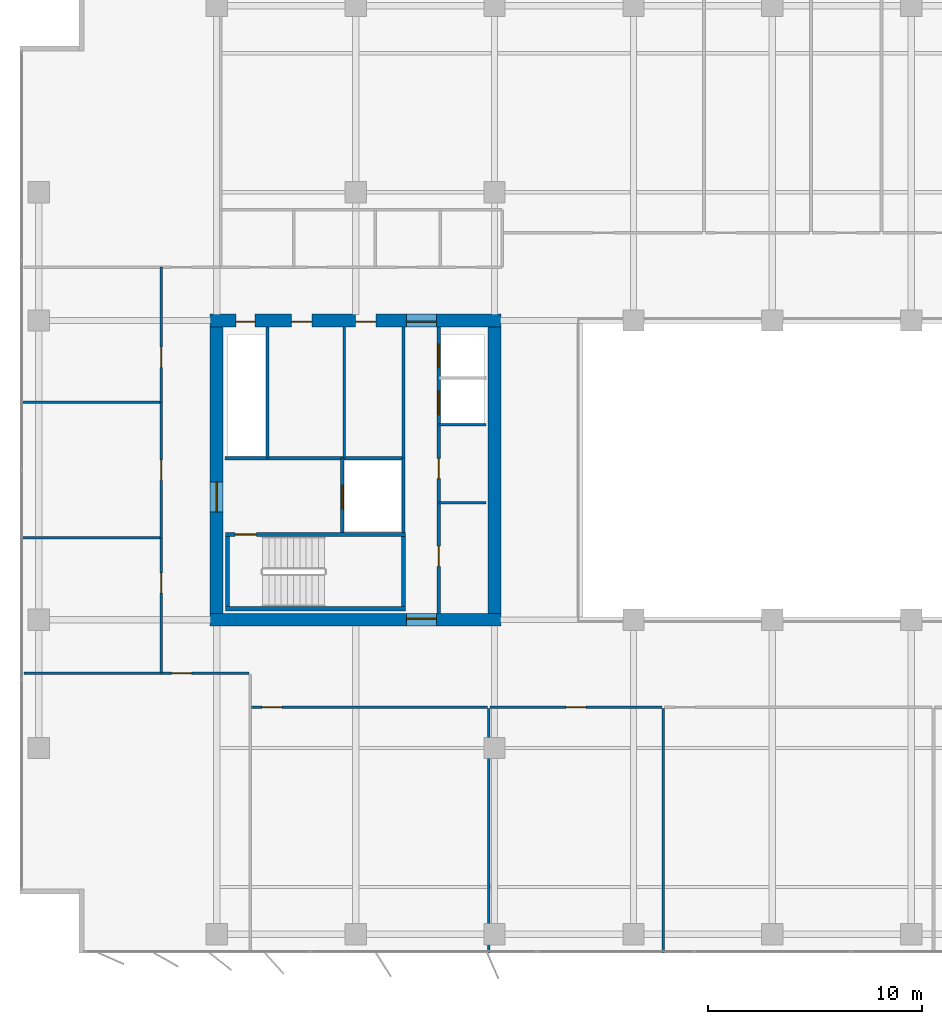
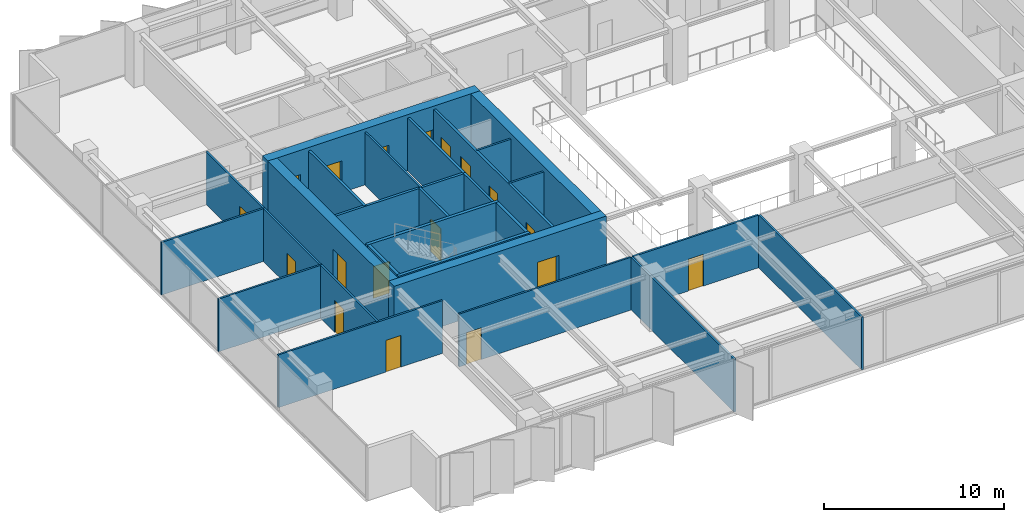
# One storey, part 15 of 22: 27 walls, 18 doors, 18 openings.
"""IFC4 building model written with IfcOpenShell, lengths in metres."""

from ifc_helpers import new_model, si_unit, direction, frame, frame_2d, origin, place, context, subcontext, project, spatial, rectangle, extrude, material, layer, layer_set, type_object, element, fill, save


model = new_model("IFC4")

# Units and contexts
model_context = context("Model", 3, precision=1e-05, world=origin(), true_north=direction((0.0, 1.0)))
body_context = subcontext(model_context, "Body", "Model", "MODEL_VIEW")
ifc_project = project(units=[si_unit("LENGTHUNIT", "METRE"), si_unit("AREAUNIT", "SQUARE_METRE"), si_unit("VOLUMEUNIT", "CUBIC_METRE"), si_unit("PLANEANGLEUNIT", "RADIAN"), si_unit("MASSUNIT", "GRAM", prefix="KILO")], contexts=[model_context])

# Site, building, storey
site_placement = place(None, origin())
site = spatial("IfcSite", under=ifc_project, at=site_placement, CompositionType="ELEMENT")
building_placement = place(site_placement, origin())
building = spatial("IfcBuilding", under=site, at=building_placement, Name="Putna Gate Headquarters", CompositionType="ELEMENT")
storey_placement = place(building_placement, frame((0.0, 0.0, 186.0)))
storey = spatial("IfcBuildingStorey", under=building, at=storey_placement, Name="L46", CompositionType="ELEMENT", Elevation=186.0)

# Wall, opening, door
ifc_material_1 = material(Name="Concrete C50/60", Category="concrete")
ifc_layer_1 = layer(ifc_material_1, 0.60009765625)
ifc_layer_set_1 = layer_set([ifc_layer_1], Name="Concrete C50/60")
wall_type_1 = type_object("IfcWallType", Name="WALL-CORE-600", PredefinedType="SHEAR", material=ifc_layer_set_1)
wall_1_placement = place(storey_placement, frame((12.699951171875, 19.0, 0.0), z_axis=(0.0, 0.0, 1.0), x_axis=(1.0, 0.0, 0.0)))
wall_1 = element("IfcWall", 1, at=wall_1_placement, inside=storey, type_object=wall_type_1, Name="L46 WC Split Core Shear Wall S", PredefinedType="SHEAR", context=body_context, shape_type="SweptSolid", body=[
    extrude(rectangle(XDim=13.60009765625, YDim=0.60009765625, at=frame_2d((6.800048828125, 0.0))), origin(), (0.0, 0.0, 1.0), 3.800048828125),
])
opening_1_placement = place(wall_1_placement, frame((9.179931640625, 0.0, 0.0)))
opening_1 = element("IfcOpeningElement", 2, at=opening_1_placement, cuts=wall_1, Name="Opening FDD-140", PredefinedType="OPENING", context=body_context, shape_type="SweptSolid", body=[
    extrude(rectangle(XDim=1.39990234375, YDim=2.199951171875, at=frame_2d((0.699951171875, 1.10009765625))), frame((0.0, 0.31005859375, 0.0), z_axis=(0.0, -1.0, 0.0), x_axis=(1.0, 0.0, 0.0)), (0.0, 0.0, 1.0), 0.6201171875),
])
ifc_material_2 = material(Name="Double steel fire door", Category="steel")
door_type_1 = type_object("IfcDoorType", Name="DOOR-FIRE-DBL-1400", OperationType="DOUBLE_DOOR_SINGLE_SWING", PredefinedType="DOOR", material=ifc_material_2)
door_1_placement = place(opening_1_placement, origin())
door_1 = element("IfcDoor", 3, at=door_1_placement, inside=storey, type_object=door_type_1, Name="L46 West Lift Lobby South Door", OperationType="DOUBLE_DOOR_SINGLE_SWING", OverallHeight=2.199951171875, OverallWidth=1.39990234375, PredefinedType="DOOR", context=body_context, shape_type="SweptSolid", body=[
    extrude(rectangle(XDim=1.39990234375, YDim=2.199951171875, at=frame_2d((0.699951171875, 1.10009765625))), frame((0.0, 0.0751953125, 0.0), z_axis=(0.0, -1.0, 0.0), x_axis=(1.0, 0.0, 0.0)), (0.0, 0.0, 1.0), 0.050048828125),
])
fill(opening_1, door_1)

# Wall, openings, doors
wall_2_placement = place(storey_placement, frame((12.699951171875, 33.0, 0.0), z_axis=(0.0, 0.0, 1.0), x_axis=(1.0, 0.0, 0.0)))
wall_2 = element("IfcWall", 4, at=wall_2_placement, inside=storey, type_object=wall_type_1, Name="L46 WC Split Core Shear Wall N", PredefinedType="SHEAR", context=body_context, shape_type="SweptSolid", body=[
    extrude(rectangle(XDim=13.60009765625, YDim=0.60009765625, at=frame_2d((6.800048828125, 0.0))), origin(), (0.0, 0.0, 1.0), 3.800048828125),
])
opening_2_placement = place(wall_2_placement, frame((1.199951171875, 0.0, 0.0)))
opening_2 = element("IfcOpeningElement", 5, at=opening_2_placement, cuts=wall_2, Name="Opening RD-90", PredefinedType="OPENING", context=body_context, shape_type="SweptSolid", body=[
    extrude(rectangle(XDim=0.89990234375, YDim=2.14990234375, at=frame_2d((0.449951171875, 1.074951171875))), frame((0.0, 0.31005859375, 0.0), z_axis=(0.0, -1.0, 0.0), x_axis=(1.0, 0.0, 0.0)), (0.0, 0.0, 1.0), 0.6201171875),
])
opening_3_placement = place(wall_2_placement, frame((3.800048828125, 0.0, 0.0)))
opening_3 = element("IfcOpeningElement", 6, at=opening_3_placement, cuts=wall_2, Name="Opening IDS-95", PredefinedType="OPENING", context=body_context, shape_type="SweptSolid", body=[
    extrude(rectangle(XDim=0.949951171875, YDim=2.14990234375, at=frame_2d((0.47509765625, 1.074951171875))), frame((0.0, 0.31005859375, 0.0), z_axis=(0.0, -1.0, 0.0), x_axis=(1.0, 0.0, 0.0)), (0.0, 0.0, 1.0), 0.6201171875),
])
opening_4_placement = place(wall_2_placement, frame((6.800048828125, 0.0, 0.0)))
opening_4 = element("IfcOpeningElement", 7, at=opening_4_placement, cuts=wall_2, Name="Opening IDS-95", PredefinedType="OPENING", context=body_context, shape_type="SweptSolid", body=[
    extrude(rectangle(XDim=0.949951171875, YDim=2.14990234375, at=frame_2d((0.47509765625, 1.074951171875))), frame((0.0, 0.31005859375, 0.0), z_axis=(0.0, -1.0, 0.0), x_axis=(1.0, 0.0, 0.0)), (0.0, 0.0, 1.0), 0.6201171875),
])
opening_5_placement = place(wall_2_placement, frame((9.179931640625, 0.0, 0.0)))
opening_5 = element("IfcOpeningElement", 8, at=opening_5_placement, cuts=wall_2, Name="Opening FDD-140", PredefinedType="OPENING", context=body_context, shape_type="SweptSolid", body=[
    extrude(rectangle(XDim=1.39990234375, YDim=2.199951171875, at=frame_2d((0.699951171875, 1.10009765625))), frame((0.0, 0.31005859375, 0.0), z_axis=(0.0, -1.0, 0.0), x_axis=(1.0, 0.0, 0.0)), (0.0, 0.0, 1.0), 0.6201171875),
])
door_2_placement = place(opening_5_placement, origin())
door_2 = element("IfcDoor", 9, at=door_2_placement, inside=storey, type_object=door_type_1, Name="L46 West Lift Lobby North Door", OperationType="DOUBLE_DOOR_SINGLE_SWING", OverallHeight=2.199951171875, OverallWidth=1.39990234375, PredefinedType="DOOR", context=body_context, shape_type="SweptSolid", body=[
    extrude(rectangle(XDim=1.39990234375, YDim=2.199951171875, at=frame_2d((0.699951171875, 1.10009765625))), frame((0.0, -0.02490234375, 0.0), z_axis=(0.0, -1.0, 0.0), x_axis=(1.0, 0.0, 0.0)), (0.0, 0.0, 1.0), 0.050048828125),
])
fill(opening_5, door_2)
ifc_material_3 = material(Name="Fire-rated service timber door", Category="wood")
door_type_2 = type_object("IfcDoorType", Name="DOOR-INT-950", OperationType="NOTDEFINED", PredefinedType="DOOR", material=ifc_material_3)
door_3_placement = place(opening_3_placement, origin())
door_3 = element("IfcDoor", 10, at=door_3_placement, inside=storey, type_object=door_type_2, Name="L46 Cleaner Store Door", OperationType="SINGLE_SWING_LEFT", OverallHeight=2.14990234375, OverallWidth=0.949951171875, PredefinedType="DOOR", context=body_context, shape_type="SweptSolid", body=[
    extrude(rectangle(XDim=0.949951171875, YDim=2.14990234375, at=frame_2d((0.47509765625, 1.074951171875))), frame((0.0, -0.02490234375, 0.0), z_axis=(0.0, -1.0, 0.0), x_axis=(1.0, 0.0, 0.0)), (0.0, 0.0, 1.0), 0.050048828125),
])
fill(opening_3, door_3)
door_4_placement = place(opening_4_placement, origin())
door_4 = element("IfcDoor", 11, at=door_4_placement, inside=storey, type_object=door_type_2, Name="L46 Comms Plant Door", OperationType="SINGLE_SWING_RIGHT", OverallHeight=2.14990234375, OverallWidth=0.949951171875, PredefinedType="DOOR", context=body_context, shape_type="SweptSolid", body=[
    extrude(rectangle(XDim=0.949951171875, YDim=2.14990234375, at=frame_2d((0.47509765625, 1.074951171875))), frame((0.0, -0.02490234375, 0.0), z_axis=(0.0, -1.0, 0.0), x_axis=(1.0, 0.0, 0.0)), (0.0, 0.0, 1.0), 0.050048828125),
])
fill(opening_4, door_4)
ifc_material_4 = material(Name="Steel riser access fire door", Category="steel")
door_type_3 = type_object("IfcDoorType", Name="DOOR-RISER-900", OperationType="NOTDEFINED", PredefinedType="DOOR", material=ifc_material_4)
door_5_placement = place(opening_2_placement, origin())
door_5 = element("IfcDoor", 12, at=door_5_placement, inside=storey, type_object=door_type_3, Name="L46 West Riser Access Door", OperationType="SINGLE_SWING_RIGHT", OverallHeight=2.14990234375, OverallWidth=0.89990234375, PredefinedType="DOOR", context=body_context, shape_type="SweptSolid", body=[
    extrude(rectangle(XDim=0.89990234375, YDim=2.14990234375, at=frame_2d((0.449951171875, 1.074951171875))), frame((0.0, -0.02490234375, 0.0), z_axis=(0.0, -1.0, 0.0), x_axis=(1.0, 0.0, 0.0)), (0.0, 0.0, 1.0), 0.050048828125),
])
fill(opening_2, door_5)

# Wall, opening, door
wall_3_placement = place(storey_placement, frame((13.0, 19.300048828125, 0.0), z_axis=(0.0, 0.0, 1.0), x_axis=(0.0, 1.0, 0.0)))
wall_3 = element("IfcWall", 13, at=wall_3_placement, inside=storey, type_object=wall_type_1, Name="L46 WC Split Core Shear Wall W", PredefinedType="SHEAR", context=body_context, shape_type="SweptSolid", body=[
    extrude(rectangle(XDim=13.39990234375, YDim=0.60009765625, at=frame_2d((6.699951171875, 0.0))), origin(), (0.0, 0.0, 1.0), 3.800048828125),
])
opening_6_placement = place(wall_3_placement, frame((4.75, 0.0, 0.0)))
opening_6 = element("IfcOpeningElement", 14, at=opening_6_placement, cuts=wall_3, Name="Opening FDD-140", PredefinedType="OPENING", context=body_context, shape_type="SweptSolid", body=[
    extrude(rectangle(XDim=1.39990234375, YDim=2.199951171875, at=frame_2d((0.699951171875, 1.10009765625))), frame((0.0, 0.31005859375, 0.0), z_axis=(0.0, -1.0, 0.0), x_axis=(1.0, 0.0, 0.0)), (0.0, 0.0, 1.0), 0.6201171875),
])
door_6_placement = place(opening_6_placement, origin())
door_6 = element("IfcDoor", 15, at=door_6_placement, inside=storey, type_object=door_type_1, Name="L46 West Firefighting Lobby Door", OperationType="DOUBLE_DOOR_SINGLE_SWING", OverallHeight=2.199951171875, OverallWidth=1.39990234375, PredefinedType="DOOR", context=body_context, shape_type="SweptSolid", body=[
    extrude(rectangle(XDim=1.39990234375, YDim=2.199951171875, at=frame_2d((0.699951171875, 1.10009765625))), frame((0.0, 0.02490234375, 0.0), z_axis=(0.0, -1.0, 0.0), x_axis=(1.0, 0.0, 0.0)), (0.0, 0.0, 1.0), 0.050048828125),
])
fill(opening_6, door_6)

# Walls
wall_4_placement = place(storey_placement, frame((26.0, 19.300048828125, 0.0), z_axis=(0.0, 0.0, 1.0), x_axis=(0.0, 1.0, 0.0)))
element("IfcWall", 16, at=wall_4_placement, inside=storey, type_object=wall_type_1, Name="L46 WC Split Core Shear Wall E", PredefinedType="SHEAR", context=body_context, shape_type="SweptSolid", body=[
    extrude(rectangle(XDim=13.39990234375, YDim=0.60009765625, at=frame_2d((6.699951171875, 0.0))), origin(), (0.0, 0.0, 1.0), 3.800048828125),
])
ifc_material_5 = material(Name="Acoustic gypsum board on metal stud")
ifc_layer_2 = layer(ifc_material_5, 0.1201171875)
ifc_layer_set_2 = layer_set([ifc_layer_2], Name="Acoustic gypsum board on metal stud")
wall_type_2 = type_object("IfcWallType", Name="WALL-PART-120", PredefinedType="PARTITIONING", material=ifc_layer_set_2)
for number, where, z_axis, x_axis, name in (
    (17, (25.727294921875, 3.419921875, 0.0), (0.0, 0.0, 1.0), (0.0, 1.0, 0.0), "L46 Interior Wall PART-L46-SB-DIV-02"),
    (18, (33.89404296875, 3.419921875, 0.0), (0.0, 0.0, 1.0), (0.0, 1.0, 0.0), "L46 Interior Wall PART-L46-SB-DIV-03"),
):
    element("IfcWall", number, at=place(storey_placement, frame(where, z_axis=z_axis, x_axis=x_axis)), inside=storey, type_object=wall_type_2, Name=name, PredefinedType="PARTITIONING", context=body_context, shape_type="SweptSolid", body=[
        extrude(rectangle(XDim=11.420166015625, YDim=0.1201171875, at=frame_2d((5.7099609375, 0.0))), origin(), (0.0, 0.0, 1.0), 3.572021484375),
    ])
for number, where, z_axis, x_axis, name in (
    (19, (3.820068359375, 22.833251953125, 0.0), (0.0, 0.0, 1.0), (1.0, 0.0, 0.0), "L46 Interior Wall PART-L46-WW-DIV-1"),
    (20, (3.820068359375, 29.166748046875, 0.0), (0.0, 0.0, 1.0), (1.0, 0.0, 0.0), "L46 Interior Wall PART-L46-WW-DIV-2"),
):
    element("IfcWall", number, at=place(storey_placement, frame(where, z_axis=z_axis, x_axis=x_axis)), inside=storey, type_object=wall_type_2, Name=name, PredefinedType="PARTITIONING", context=body_context, shape_type="SweptSolid", body=[
        extrude(rectangle(XDim=6.579833984375, YDim=0.1201171875, at=frame_2d((3.2900390625, 0.0))), origin(), (0.0, 0.0, 1.0), 3.572021484375),
    ])
ifc_material_6 = material(Name="Fire-rated gypsum board on metal stud")
ifc_layer_3 = layer(ifc_material_6, 0.1201171875)
ifc_layer_set_3 = layer_set([ifc_layer_3], Name="Fire-rated gypsum board on metal stud")
wall_type_3 = type_object("IfcWallType", Name="WALL-PART-120-RATED", PredefinedType="PARTITIONING", material=ifc_layer_set_3)
wall_5_placement = place(storey_placement, frame((18.969970703125, 26.56005859375, 0.0), z_axis=(0.0, 0.0, 1.0), x_axis=(0.0, 1.0, 0.0)))
element("IfcWall", 21, at=wall_5_placement, inside=storey, type_object=wall_type_3, Name="L46 Interior Wall CWINT-L46-WC-K0-DIV", PredefinedType="PARTITIONING", context=body_context, shape_type="SweptSolid", body=[
    extrude(rectangle(XDim=6.139892578125, YDim=0.1201171875, at=frame_2d((3.06982421875, 0.0))), origin(), (0.0, 0.0, 1.0), 3.572021484375),
])
for number, where, z_axis, x_axis, name in (
    (22, (23.39990234375, 24.469970703125, 0.0), (0.0, 0.0, 1.0), (1.0, 0.0, 0.0), "L46 Interior Wall CWINT-L46-WC-REUSE-DIV"),
    (23, (23.39990234375, 28.1201171875, 0.0), (0.0, 0.0, 1.0), (1.0, 0.0, 0.0), "L46 Interior Wall CWINT-L46-WC-LF06-DIV"),
):
    element("IfcWall", number, at=place(storey_placement, frame(where, z_axis=z_axis, x_axis=x_axis)), inside=storey, type_object=wall_type_3, Name=name, PredefinedType="PARTITIONING", context=body_context, shape_type="SweptSolid", body=[
        extrude(rectangle(XDim=2.2001953125, YDim=0.1201171875, at=frame_2d((1.10009765625, 0.0))), origin(), (0.0, 0.0, 1.0), 3.572021484375),
    ])

# Wall, opening, door
wall_6_placement = place(storey_placement, frame((3.97998046875, 16.5, 0.0), z_axis=(0.0, 0.0, 1.0), x_axis=(1.0, 0.0, 0.0)))
wall_6 = element("IfcWall", 24, at=wall_6_placement, inside=storey, type_object=wall_type_3, Name="L46 Interior Wall PART-L46-SB-CW-01", PredefinedType="PARTITIONING", context=body_context, shape_type="SweptSolid", body=[
    extrude(rectangle(XDim=10.537109375, YDim=0.1201171875, at=frame_2d((5.2685546875, 0.0))), origin(), (0.0, 0.0, 1.0), 3.572021484375),
])
opening_7_placement = place(wall_6_placement, frame((6.89990234375, 0.0, 0.0)))
opening_7 = element("IfcOpeningElement", 25, at=opening_7_placement, cuts=wall_6, Name="Opening FD-95", PredefinedType="OPENING", context=body_context, shape_type="SweptSolid", body=[
    extrude(rectangle(XDim=0.949951171875, YDim=2.14990234375, at=frame_2d((0.47509765625, 1.074951171875))), frame((0.0, 0.070068359375, 0.0), z_axis=(0.0, -1.0, 0.0), x_axis=(1.0, 0.0, 0.0)), (0.0, 0.0, 1.0), 0.14013671875),
])
ifc_material_7 = material(Name="Acoustic timber fire door", Category="wood")
door_type_4 = type_object("IfcDoorType", Name="DOOR-FIRE-950", OperationType="NOTDEFINED", PredefinedType="DOOR", material=ifc_material_7)
door_7_placement = place(opening_7_placement, origin())
door_7 = element("IfcDoor", 26, at=door_7_placement, inside=storey, type_object=door_type_4, Name="L46 Conference Meeting Room 5 Door", OperationType="SINGLE_SWING_LEFT", OverallHeight=2.14990234375, OverallWidth=0.949951171875, PredefinedType="DOOR", context=body_context, shape_type="SweptSolid", body=[
    extrude(rectangle(XDim=0.949951171875, YDim=2.14990234375, at=frame_2d((0.47509765625, 1.074951171875))), frame((0.0, 0.02490234375, 0.0), z_axis=(0.0, -1.0, 0.0), x_axis=(1.0, 0.0, 0.0)), (0.0, 0.0, 1.0), 0.050048828125),
])
fill(opening_7, door_7)

wall_7_placement = place(storey_placement, frame((14.63720703125, 14.89990234375, 0.0), z_axis=(0.0, 0.0, 1.0), x_axis=(1.0, 0.0, 0.0)))
wall_7 = element("IfcWall", 27, at=wall_7_placement, inside=storey, type_object=wall_type_3, Name="L46 Interior Wall PART-L46-SB-CW-02", PredefinedType="PARTITIONING", context=body_context, shape_type="SweptSolid", body=[
    extrude(rectangle(XDim=11.0302734375, YDim=0.1201171875, at=frame_2d((5.51513671875, 0.0))), origin(), (0.0, 0.0, 1.0), 3.572021484375),
])
opening_8_placement = place(wall_7_placement, frame((0.47998046875, 0.0, 0.0)))
opening_8 = element("IfcOpeningElement", 28, at=opening_8_placement, cuts=wall_7, Name="Opening FD-95", PredefinedType="OPENING", context=body_context, shape_type="SweptSolid", body=[
    extrude(rectangle(XDim=0.949951171875, YDim=2.14990234375, at=frame_2d((0.47509765625, 1.074951171875))), frame((0.0, 0.070068359375, 0.0), z_axis=(0.0, -1.0, 0.0), x_axis=(1.0, 0.0, 0.0)), (0.0, 0.0, 1.0), 0.14013671875),
])
door_8_placement = place(opening_8_placement, origin())
door_8 = element("IfcDoor", 29, at=door_8_placement, inside=storey, type_object=door_type_4, Name="L46 Cellular Office 4 Door", OperationType="SINGLE_SWING_RIGHT", OverallHeight=2.14990234375, OverallWidth=0.949951171875, PredefinedType="DOOR", context=body_context, shape_type="SweptSolid", body=[
    extrude(rectangle(XDim=0.949951171875, YDim=2.14990234375, at=frame_2d((0.47509765625, 1.074951171875))), frame((0.0, 0.02490234375, 0.0), z_axis=(0.0, -1.0, 0.0), x_axis=(1.0, 0.0, 0.0)), (0.0, 0.0, 1.0), 0.050048828125),
])
fill(opening_8, door_8)

wall_8_placement = place(storey_placement, frame((25.787353515625, 14.89990234375, 0.0), z_axis=(0.0, 0.0, 1.0), x_axis=(1.0, 0.0, 0.0)))
wall_8 = element("IfcWall", 30, at=wall_8_placement, inside=storey, type_object=wall_type_3, Name="L46 Interior Wall PART-L46-SB-CW-03", PredefinedType="PARTITIONING", context=body_context, shape_type="SweptSolid", body=[
    extrude(rectangle(XDim=8.046630859375, YDim=0.1201171875, at=frame_2d((4.0234375, 0.0))), origin(), (0.0, 0.0, 1.0), 3.572021484375),
])
opening_9_placement = place(wall_8_placement, frame((3.54833984375, 0.0, 0.0)))
opening_9 = element("IfcOpeningElement", 31, at=opening_9_placement, cuts=wall_8, Name="Opening FD-95", PredefinedType="OPENING", context=body_context, shape_type="SweptSolid", body=[
    extrude(rectangle(XDim=0.949951171875, YDim=2.14990234375, at=frame_2d((0.47509765625, 1.074951171875))), frame((0.0, 0.070068359375, 0.0), z_axis=(0.0, -1.0, 0.0), x_axis=(1.0, 0.0, 0.0)), (0.0, 0.0, 1.0), 0.14013671875),
])
door_9_placement = place(opening_9_placement, origin())
door_9 = element("IfcDoor", 32, at=door_9_placement, inside=storey, type_object=door_type_4, Name="L46 Cellular Office 5 Door", OperationType="SINGLE_SWING_LEFT", OverallHeight=2.14990234375, OverallWidth=0.949951171875, PredefinedType="DOOR", context=body_context, shape_type="SweptSolid", body=[
    extrude(rectangle(XDim=0.949951171875, YDim=2.14990234375, at=frame_2d((0.47509765625, 1.074951171875))), frame((0.0, 0.02490234375, 0.0), z_axis=(0.0, -1.0, 0.0), x_axis=(1.0, 0.0, 0.0)), (0.0, 0.0, 1.0), 0.050048828125),
])
fill(opening_9, door_9)

wall_9_placement = place(storey_placement, frame((10.39990234375, 16.5, 0.0), z_axis=(0.0, 0.0, 1.0), x_axis=(0.0, 1.0, 0.0)))
wall_9 = element("IfcWall", 33, at=wall_9_placement, inside=storey, type_object=wall_type_3, Name="L46 Interior Wall PART-L46-WW-CW-1", PredefinedType="PARTITIONING", context=body_context, shape_type="SweptSolid", body=[
    extrude(rectangle(XDim=6.333251953125, YDim=0.1201171875, at=frame_2d((3.16650390625, 0.0))), origin(), (0.0, 0.0, 1.0), 3.572021484375),
])
opening_10_placement = place(wall_9_placement, frame((3.74169921875, 0.0, 0.0)))
opening_10 = element("IfcOpeningElement", 34, at=opening_10_placement, cuts=wall_9, Name="Opening FD-95", PredefinedType="OPENING", context=body_context, shape_type="SweptSolid", body=[
    extrude(rectangle(XDim=0.949951171875, YDim=2.14990234375, at=frame_2d((0.47509765625, 1.074951171875))), frame((0.0, 0.070068359375, 0.0), z_axis=(0.0, -1.0, 0.0), x_axis=(1.0, 0.0, 0.0)), (0.0, 0.0, 1.0), 0.14013671875),
])
door_10_placement = place(opening_10_placement, origin())
door_10 = element("IfcDoor", 35, at=door_10_placement, inside=storey, type_object=door_type_4, Name="L46 West Project Meeting Room 1 Door", OperationType="SINGLE_SWING_RIGHT", OverallHeight=2.14990234375, OverallWidth=0.949951171875, PredefinedType="DOOR", context=body_context, shape_type="SweptSolid", body=[
    extrude(rectangle(XDim=0.949951171875, YDim=2.14990234375, at=frame_2d((0.47509765625, 1.074951171875))), frame((0.0, 0.02490234375, 0.0), z_axis=(0.0, -1.0, 0.0), x_axis=(1.0, 0.0, 0.0)), (0.0, 0.0, 1.0), 0.050048828125),
])
fill(opening_10, door_10)

wall_10_placement = place(storey_placement, frame((10.39990234375, 22.833251953125, 0.0), z_axis=(0.0, 0.0, 1.0), x_axis=(0.0, 1.0, 0.0)))
wall_10 = element("IfcWall", 36, at=wall_10_placement, inside=storey, type_object=wall_type_3, Name="L46 Interior Wall PART-L46-WW-CW-2", PredefinedType="PARTITIONING", context=body_context, shape_type="SweptSolid", body=[
    extrude(rectangle(XDim=6.33349609375, YDim=0.1201171875, at=frame_2d((3.166748046875, 0.0))), origin(), (0.0, 0.0, 1.0), 3.572021484375),
])
opening_11_placement = place(wall_10_placement, frame((2.691650390625, 0.0, 0.0)))
opening_11 = element("IfcOpeningElement", 37, at=opening_11_placement, cuts=wall_10, Name="Opening FD-95", PredefinedType="OPENING", context=body_context, shape_type="SweptSolid", body=[
    extrude(rectangle(XDim=0.949951171875, YDim=2.14990234375, at=frame_2d((0.47509765625, 1.074951171875))), frame((0.0, 0.070068359375, 0.0), z_axis=(0.0, -1.0, 0.0), x_axis=(1.0, 0.0, 0.0)), (0.0, 0.0, 1.0), 0.14013671875),
])
door_11_placement = place(opening_11_placement, origin())
door_11 = element("IfcDoor", 38, at=door_11_placement, inside=storey, type_object=door_type_4, Name="L46 West Project Meeting Room 2 Door", OperationType="SINGLE_SWING_LEFT", OverallHeight=2.14990234375, OverallWidth=0.949951171875, PredefinedType="DOOR", context=body_context, shape_type="SweptSolid", body=[
    extrude(rectangle(XDim=0.949951171875, YDim=2.14990234375, at=frame_2d((0.47509765625, 1.074951171875))), frame((0.0, 0.02490234375, 0.0), z_axis=(0.0, -1.0, 0.0), x_axis=(1.0, 0.0, 0.0)), (0.0, 0.0, 1.0), 0.050048828125),
])
fill(opening_11, door_11)

wall_11_placement = place(storey_placement, frame((10.39990234375, 29.166748046875, 0.0), z_axis=(0.0, 0.0, 1.0), x_axis=(0.0, 1.0, 0.0)))
wall_11 = element("IfcWall", 39, at=wall_11_placement, inside=storey, type_object=wall_type_3, Name="L46 Interior Wall PART-L46-WW-CW-3", PredefinedType="PARTITIONING", context=body_context, shape_type="SweptSolid", body=[
    extrude(rectangle(XDim=6.333251953125, YDim=0.1201171875, at=frame_2d((3.16650390625, 0.0))), origin(), (0.0, 0.0, 1.0), 3.572021484375),
])
opening_12_placement = place(wall_11_placement, frame((1.6416015625, 0.0, 0.0)))
opening_12 = element("IfcOpeningElement", 40, at=opening_12_placement, cuts=wall_11, Name="Opening FD-95", PredefinedType="OPENING", context=body_context, shape_type="SweptSolid", body=[
    extrude(rectangle(XDim=0.949951171875, YDim=2.14990234375, at=frame_2d((0.47509765625, 1.074951171875))), frame((0.0, 0.070068359375, 0.0), z_axis=(0.0, -1.0, 0.0), x_axis=(1.0, 0.0, 0.0)), (0.0, 0.0, 1.0), 0.14013671875),
])
door_12_placement = place(opening_12_placement, origin())
door_12 = element("IfcDoor", 41, at=door_12_placement, inside=storey, type_object=door_type_4, Name="L46 West Project Meeting Room 3 Door", OperationType="SINGLE_SWING_RIGHT", OverallHeight=2.14990234375, OverallWidth=0.949951171875, PredefinedType="DOOR", context=body_context, shape_type="SweptSolid", body=[
    extrude(rectangle(XDim=0.949951171875, YDim=2.14990234375, at=frame_2d((0.47509765625, 1.074951171875))), frame((0.0, 0.02490234375, 0.0), z_axis=(0.0, -1.0, 0.0), x_axis=(1.0, 0.0, 0.0)), (0.0, 0.0, 1.0), 0.050048828125),
])
fill(opening_12, door_12)

# Wall
ifc_material_8 = material(Name="Concrete C40/50", Category="concrete")
ifc_layer_4 = layer(ifc_material_8, 0.159912109375)
ifc_layer_set_4 = layer_set([ifc_layer_4], Name="Concrete C40/50")
wall_type_4 = type_object("IfcWallType", Name="WALL-SHAFT-160", PredefinedType="STANDARD", material=ifc_layer_set_4)
wall_12_placement = place(storey_placement, frame((21.739990234375, 23.090087890625, 0.0), z_axis=(0.0, 0.0, 1.0), x_axis=(0.0, 1.0, 0.0)))
element("IfcWall", 42, at=wall_12_placement, inside=storey, type_object=wall_type_4, Name="L46 Interior Wall CWINT-L46-WC-FFL-E", PredefinedType="STANDARD", context=body_context, shape_type="SweptSolid", body=[
    extrude(rectangle(XDim=3.469970703125, YDim=0.159912109375, at=frame_2d((1.73486328125, 0.0))), origin(), (0.0, 0.0, 1.0), 3.572021484375),
])

# Wall, opening, door
wall_13_placement = place(storey_placement, frame((18.8798828125, 23.090087890625, 0.0), z_axis=(0.0, 0.0, 1.0), x_axis=(0.0, 1.0, 0.0)))
wall_13 = element("IfcWall", 43, at=wall_13_placement, inside=storey, type_object=wall_type_4, Name="L46 Interior Wall CWINT-L46-WC-LF13-W", PredefinedType="STANDARD", context=body_context, shape_type="SweptSolid", body=[
    extrude(rectangle(XDim=3.469970703125, YDim=0.159912109375, at=frame_2d((1.73486328125, 0.0))), origin(), (0.0, 0.0, 1.0), 3.572021484375),
])
opening_13_placement = place(wall_13_placement, frame((1.10009765625, 0.0, 0.0)))
opening_13 = element("IfcOpeningElement", 44, at=opening_13_placement, cuts=wall_13, Name="Opening LD-1", PredefinedType="OPENING", context=body_context, shape_type="SweptSolid", body=[
    extrude(rectangle(XDim=1.10009765625, YDim=2.199951171875, at=frame_2d((0.550048828125, 1.10009765625))), frame((0.0, 0.08984375, 0.0), z_axis=(0.0, -1.0, 0.0), x_axis=(1.0, 0.0, 0.0)), (0.0, 0.0, 1.0), 0.179931640625),
])
ifc_material_9 = material(Name="Brushed bronze stainless lift landing door")
door_type_5 = type_object("IfcDoorType", Name="DOOR-LIFT-1100", OperationType="DOUBLE_DOOR_SLIDING", PredefinedType="DOOR", material=ifc_material_9)
door_13_placement = place(opening_13_placement, origin())
door_13 = element("IfcDoor", 45, at=door_13_placement, inside=storey, type_object=door_type_5, Name="L46 Lift Landing Door LD-13", OperationType="DOUBLE_DOOR_SLIDING", OverallHeight=2.199951171875, OverallWidth=1.10009765625, PredefinedType="DOOR", context=body_context, shape_type="SweptSolid", body=[
    extrude(rectangle(XDim=1.10009765625, YDim=2.199951171875, at=frame_2d((0.550048828125, 1.10009765625))), frame((0.0, 0.02490234375, 0.0), z_axis=(0.0, -1.0, 0.0), x_axis=(1.0, 0.0, 0.0)), (0.0, 0.0, 1.0), 0.050048828125),
])
fill(opening_13, door_13)

# Walls
wall_14_placement = place(storey_placement, frame((13.39990234375, 26.56005859375, 0.0), z_axis=(0.0, 0.0, 1.0), x_axis=(1.0, 0.0, 0.0)))
element("IfcWall", 46, at=wall_14_placement, inside=storey, type_object=wall_type_4, Name="L46 Interior Wall CWINT-L46-WC-FFL-N", PredefinedType="STANDARD", context=body_context, shape_type="SweptSolid", body=[
    extrude(rectangle(XDim=8.340087890625, YDim=0.159912109375, at=frame_2d((4.169921875, 0.0))), origin(), (0.0, 0.0, 1.0), 3.572021484375),
])
for number, where, z_axis, x_axis, name in (
    (47, (15.3798828125, 26.56005859375, 0.0), (0.0, 0.0, 1.0), (0.0, 1.0, 0.0), "L46 Interior Wall CWINT-L46-WC-RISER-E"),
    (48, (21.739990234375, 26.56005859375, 0.0), (0.0, 0.0, 1.0), (0.0, 1.0, 0.0), "L46 Interior Wall CWINT-L46-WC-LOB-W"),
):
    element("IfcWall", number, at=place(storey_placement, frame(where, z_axis=z_axis, x_axis=x_axis)), inside=storey, type_object=wall_type_4, Name=name, PredefinedType="STANDARD", context=body_context, shape_type="SweptSolid", body=[
        extrude(rectangle(XDim=6.139892578125, YDim=0.159912109375, at=frame_2d((3.06982421875, 0.0))), origin(), (0.0, 0.0, 1.0), 3.572021484375),
    ])

# Wall, openings, doors
wall_15_placement = place(storey_placement, frame((23.39990234375, 19.300048828125, 0.0), z_axis=(0.0, 0.0, 1.0), x_axis=(0.0, 1.0, 0.0)))
wall_15 = element("IfcWall", 49, at=wall_15_placement, inside=storey, type_object=wall_type_4, Name="L46 Interior Wall CWINT-L46-WC-PL-WALL", PredefinedType="STANDARD", context=body_context, shape_type="SweptSolid", body=[
    extrude(rectangle(XDim=13.39990234375, YDim=0.159912109375, at=frame_2d((6.699951171875, 0.0))), origin(), (0.0, 0.0, 1.0), 3.572021484375),
])
opening_14_placement = place(wall_15_placement, frame((2.199951171875, 0.0, 0.0)))
opening_14 = element("IfcOpeningElement", 50, at=opening_14_placement, cuts=wall_15, Name="Opening IDS-95", PredefinedType="OPENING", context=body_context, shape_type="SweptSolid", body=[
    extrude(rectangle(XDim=0.949951171875, YDim=2.14990234375, at=frame_2d((0.47509765625, 1.074951171875))), frame((0.0, 0.08984375, 0.0), z_axis=(0.0, -1.0, 0.0), x_axis=(1.0, 0.0, 0.0)), (0.0, 0.0, 1.0), 0.179931640625),
])
opening_15_placement = place(wall_15_placement, frame((6.300048828125, 0.0, 0.0)))
opening_15 = element("IfcOpeningElement", 51, at=opening_15_placement, cuts=wall_15, Name="Opening IDS-95", PredefinedType="OPENING", context=body_context, shape_type="SweptSolid", body=[
    extrude(rectangle(XDim=0.949951171875, YDim=2.14990234375, at=frame_2d((0.47509765625, 1.074951171875))), frame((0.0, 0.08984375, 0.0), z_axis=(0.0, -1.0, 0.0), x_axis=(1.0, 0.0, 0.0)), (0.0, 0.0, 1.0), 0.179931640625),
])
opening_16_placement = place(wall_15_placement, frame((9.300048828125, 0.0, 0.0)))
opening_16 = element("IfcOpeningElement", 52, at=opening_16_placement, cuts=wall_15, Name="Opening LD-1", PredefinedType="OPENING", context=body_context, shape_type="SweptSolid", body=[
    extrude(rectangle(XDim=1.10009765625, YDim=2.199951171875, at=frame_2d((0.550048828125, 1.10009765625))), frame((0.0, 0.08984375, 0.0), z_axis=(0.0, -1.0, 0.0), x_axis=(1.0, 0.0, 0.0)), (0.0, 0.0, 1.0), 0.179931640625),
])
opening_17_placement = place(wall_15_placement, frame((11.5, 0.0, 0.0)))
opening_17 = element("IfcOpeningElement", 53, at=opening_17_placement, cuts=wall_15, Name="Opening LD-1", PredefinedType="OPENING", context=body_context, shape_type="SweptSolid", body=[
    extrude(rectangle(XDim=1.10009765625, YDim=2.199951171875, at=frame_2d((0.550048828125, 1.10009765625))), frame((0.0, 0.08984375, 0.0), z_axis=(0.0, -1.0, 0.0), x_axis=(1.0, 0.0, 0.0)), (0.0, 0.0, 1.0), 0.179931640625),
])
door_14_placement = place(opening_14_placement, origin())
door_14 = element("IfcDoor", 54, at=door_14_placement, inside=storey, type_object=door_type_2, Name="L46 Tenant IT Hub Door", OperationType="SINGLE_SWING_LEFT", OverallHeight=2.14990234375, OverallWidth=0.949951171875, PredefinedType="DOOR", context=body_context, shape_type="SweptSolid", body=[
    extrude(rectangle(XDim=0.949951171875, YDim=2.14990234375, at=frame_2d((0.47509765625, 1.074951171875))), frame((0.0, 0.02490234375, 0.0), z_axis=(0.0, -1.0, 0.0), x_axis=(1.0, 0.0, 0.0)), (0.0, 0.0, 1.0), 0.050048828125),
])
fill(opening_14, door_14)
door_15_placement = place(opening_15_placement, origin())
door_15 = element("IfcDoor", 55, at=door_15_placement, inside=storey, type_object=door_type_2, Name="L46 Records Vault Door", OperationType="SINGLE_SWING_RIGHT", OverallHeight=2.14990234375, OverallWidth=0.949951171875, PredefinedType="DOOR", context=body_context, shape_type="SweptSolid", body=[
    extrude(rectangle(XDim=0.949951171875, YDim=2.14990234375, at=frame_2d((0.47509765625, 1.074951171875))), frame((0.0, 0.02490234375, 0.0), z_axis=(0.0, -1.0, 0.0), x_axis=(1.0, 0.0, 0.0)), (0.0, 0.0, 1.0), 0.050048828125),
])
fill(opening_15, door_15)
door_16_placement = place(opening_16_placement, origin())
door_16 = element("IfcDoor", 56, at=door_16_placement, inside=storey, type_object=door_type_5, Name="L46 Lift Landing Door LD-09", OperationType="DOUBLE_DOOR_SLIDING", OverallHeight=2.199951171875, OverallWidth=1.10009765625, PredefinedType="DOOR", context=body_context, shape_type="SweptSolid", body=[
    extrude(rectangle(XDim=1.10009765625, YDim=2.199951171875, at=frame_2d((0.550048828125, 1.10009765625))), frame((0.0, 0.02490234375, 0.0), z_axis=(0.0, -1.0, 0.0), x_axis=(1.0, 0.0, 0.0)), (0.0, 0.0, 1.0), 0.050048828125),
])
fill(opening_16, door_16)
door_17_placement = place(opening_17_placement, origin())
door_17 = element("IfcDoor", 57, at=door_17_placement, inside=storey, type_object=door_type_5, Name="L46 Lift Landing Door LD-10", OperationType="DOUBLE_DOOR_SLIDING", OverallHeight=2.199951171875, OverallWidth=1.10009765625, PredefinedType="DOOR", context=body_context, shape_type="SweptSolid", body=[
    extrude(rectangle(XDim=1.10009765625, YDim=2.199951171875, at=frame_2d((0.550048828125, 1.10009765625))), frame((0.0, 0.02490234375, 0.0), z_axis=(0.0, -1.0, 0.0), x_axis=(1.0, 0.0, 0.0)), (0.0, 0.0, 1.0), 0.050048828125),
])
fill(opening_17, door_17)

# Wall
ifc_layer_5 = layer(ifc_material_8, 0.199951171875)
ifc_layer_set_5 = layer_set([ifc_layer_5], Name="Concrete C40/50")
wall_type_5 = type_object("IfcWallType", Name="WALL-SHAFT-RC200", PredefinedType="SHEAR", material=ifc_layer_set_5)
wall_16_placement = place(storey_placement, frame((13.409912109375, 19.510009765625, 0.0), z_axis=(0.0, 0.0, 1.0), x_axis=(1.0, 0.0, 0.0)))
element("IfcWall", 58, at=wall_16_placement, inside=storey, type_object=wall_type_5, Name="L46 Stair ST1 Structural Shaft Wall S", PredefinedType="SHEAR", context=body_context, shape_type="SweptSolid", body=[
    extrude(rectangle(XDim=8.43017578125, YDim=0.199951171875, at=frame_2d((4.215087890625, 0.0))), origin(), (0.0, 0.0, 1.0), 3.800048828125),
])

# Wall, opening, door
wall_17_placement = place(storey_placement, frame((13.409912109375, 22.989990234375, 0.0), z_axis=(0.0, 0.0, 1.0), x_axis=(1.0, 0.0, 0.0)))
wall_17 = element("IfcWall", 59, at=wall_17_placement, inside=storey, type_object=wall_type_5, Name="L46 Stair ST1 Structural Shaft Wall N", PredefinedType="SHEAR", context=body_context, shape_type="SweptSolid", body=[
    extrude(rectangle(XDim=8.43017578125, YDim=0.199951171875, at=frame_2d((4.215087890625, 0.0))), origin(), (0.0, 0.0, 1.0), 3.800048828125),
])
opening_18_placement = place(wall_17_placement, frame((0.449951171875, 0.0, 0.0)))
opening_18 = element("IfcOpeningElement", 60, at=opening_18_placement, cuts=wall_17, Name="Opening FD-100", PredefinedType="OPENING", context=body_context, shape_type="SweptSolid", body=[
    extrude(rectangle(XDim=1.0, YDim=2.14990234375, at=frame_2d((0.5, 1.074951171875))), frame((0.0, 0.10986328125, 0.0), z_axis=(0.0, -1.0, 0.0), x_axis=(1.0, 0.0, 0.0)), (0.0, 0.0, 1.0), 0.219970703125),
])
ifc_material_10 = material(Name="Powder-coated steel fire door", Category="steel")
door_type_6 = type_object("IfcDoorType", Name="DOOR-FIRE-1000", OperationType="NOTDEFINED", PredefinedType="DOOR", material=ifc_material_10)
door_18_placement = place(opening_18_placement, origin())
door_18 = element("IfcDoor", 61, at=door_18_placement, inside=storey, type_object=door_type_6, Name="L46 Stair ST1 Fire Door", OperationType="SINGLE_SWING_LEFT", OverallHeight=2.14990234375, OverallWidth=1.0, PredefinedType="DOOR", context=body_context, shape_type="SweptSolid", body=[
    extrude(rectangle(XDim=1.0, YDim=2.14990234375, at=frame_2d((0.5, 1.074951171875))), frame((0.0, 0.02490234375, 0.0), z_axis=(0.0, -1.0, 0.0), x_axis=(1.0, 0.0, 0.0)), (0.0, 0.0, 1.0), 0.050048828125),
])
fill(opening_18, door_18)

# Walls
for number, where, z_axis, x_axis, name in (
    (62, (13.510009765625, 19.610107421875, 0.0), (0.0, 0.0, 1.0), (0.0, 1.0, 0.0), "L46 Stair ST1 Structural Shaft Wall W"),
    (63, (21.739990234375, 19.610107421875, 0.0), (0.0, 0.0, 1.0), (0.0, 1.0, 0.0), "L46 Stair ST1 Structural Shaft Wall E"),
):
    element("IfcWall", number, at=place(storey_placement, frame(where, z_axis=z_axis, x_axis=x_axis)), inside=storey, type_object=wall_type_5, Name=name, PredefinedType="SHEAR", context=body_context, shape_type="SweptSolid", body=[
        extrude(rectangle(XDim=3.27978515625, YDim=0.199951171875, at=frame_2d((1.639892578125, 0.0))), origin(), (0.0, 0.0, 1.0), 3.800048828125),
    ])

save(model, "model.ifc")
